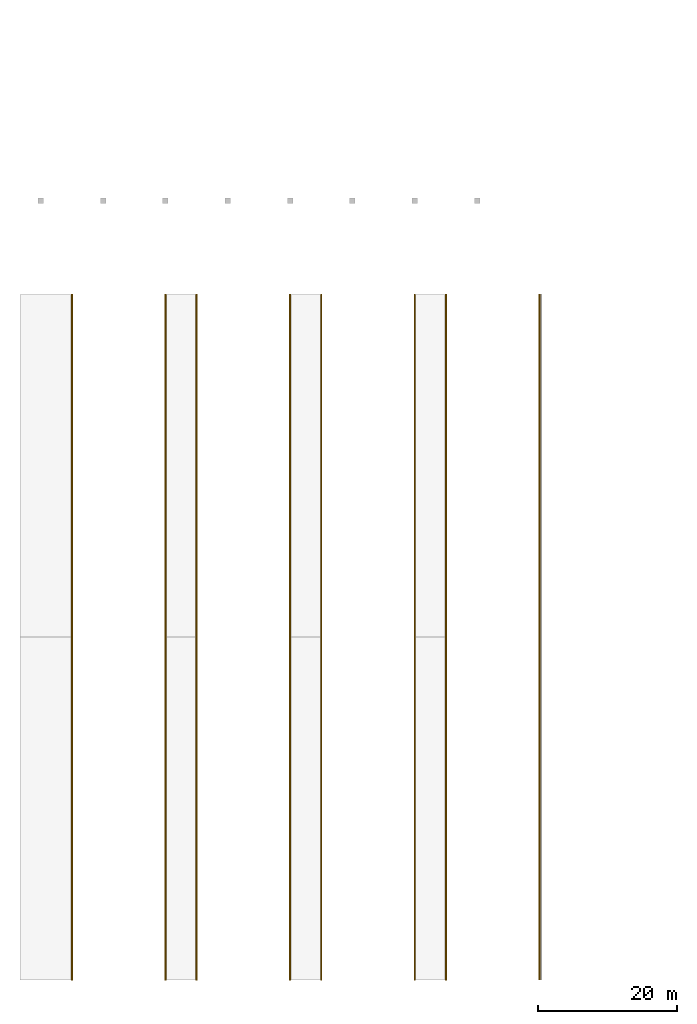
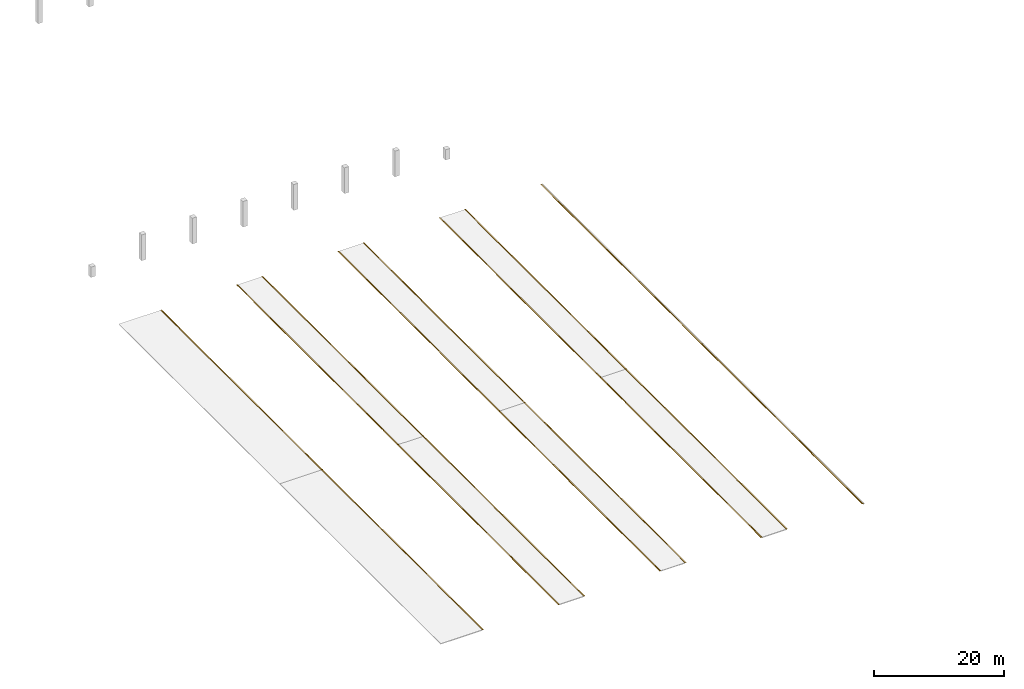
# One storey, part 15 of 15: 16 coverings.
"""IFC4 building model written with IfcOpenShell, lengths in metres."""

from ifc_helpers import new_model, si_unit, direction, frame, origin, origin_2d, place, context, subcontext, project, spatial, rectangle, extrude, material, layer, layer_set, type_object, element, save


model = new_model("IFC4")

# Units and contexts
model_context = context("Model", 3, precision=1e-05, world=origin(), true_north=direction((0.0, 1.0)))
body_context = subcontext(model_context, "Body", "Model", "MODEL_VIEW")
ifc_project = project(units=[si_unit("LENGTHUNIT", "METRE"), si_unit("AREAUNIT", "SQUARE_METRE"), si_unit("VOLUMEUNIT", "CUBIC_METRE"), si_unit("PLANEANGLEUNIT", "RADIAN"), si_unit("MASSUNIT", "GRAM", prefix="KILO")], contexts=[model_context])

# Site, building, storey
site_placement = place(None, origin())
site = spatial("IfcSite", under=ifc_project, at=site_placement, CompositionType="ELEMENT")
building_placement = place(site_placement, origin())
building = spatial("IfcBuilding", under=site, at=building_placement, Name="Opaline Strait Convention Centre", CompositionType="ELEMENT")
storey_placement = place(building_placement, frame((0.0, 0.0, 20.10009765625)))
storey = spatial("IfcBuildingStorey", under=building, at=storey_placement, Name="Roof Restaurants and Business Centre", CompositionType="ELEMENT", Elevation=20.10009765625)

# Coverings
ifc_material = material(Name="Aluminium alloy 6063", Category="aluminium")
ifc_layer = layer(ifc_material, 0.030029296875)
ifc_layer_set = layer_set([ifc_layer], Name="Aluminium alloy 6063")
covering_type = type_object("IfcCoveringType", Name="Ridge cap 200x30 aluminium", PredefinedType="ROOFING", material=ifc_layer_set)
for number, where, z_axis, x_axis, name in (
    (1, (13.5, 29.25, 0.14990234375), (0.0, 0.0, 1.0), (1.0, 0.0, 0.0), "RRC1 ridge cap seam 1"),
    (2, (13.5, 78.75, 0.14990234375), (0.0, 0.0, 1.0), (1.0, 0.0, 0.0), "RRC1 ridge cap seam 1"),
    (3, (27.0, 29.25, 0.14990234375), (0.0, 0.0, 1.0), (1.0, 0.0, 0.0), "RRC1 ridge cap seam 4"),
    (4, (27.0, 78.75, 0.14990234375), (0.0, 0.0, 1.0), (1.0, 0.0, 0.0), "RRC1 ridge cap seam 4"),
    (5, (31.5, 29.25, 0.14990234375), (0.0, 0.0, 1.0), (1.0, 0.0, 0.0), "RRC1 ridge cap seam 5"),
    (6, (31.5, 78.75, 0.14990234375), (0.0, 0.0, 1.0), (1.0, 0.0, 0.0), "RRC1 ridge cap seam 5"),
    (7, (45.0, 29.25, 0.14990234375), (0.0, 0.0, 1.0), (1.0, 0.0, 0.0), "RRC1 ridge cap seam 8"),
    (8, (45.0, 78.75, 0.14990234375), (0.0, 0.0, 1.0), (1.0, 0.0, 0.0), "RRC1 ridge cap seam 8"),
    (9, (49.5, 29.25, 0.14990234375), (0.0, 0.0, 1.0), (1.0, 0.0, 0.0), "RRC1 ridge cap seam 9"),
    (10, (49.5, 78.75, 0.14990234375), (0.0, 0.0, 1.0), (1.0, 0.0, 0.0), "RRC1 ridge cap seam 9"),
    (11, (63.0, 29.25, 0.14990234375), (0.0, 0.0, 1.0), (1.0, 0.0, 0.0), "RRC1 ridge cap seam 12"),
    (12, (63.0, 78.75, 0.14990234375), (0.0, 0.0, 1.0), (1.0, 0.0, 0.0), "RRC1 ridge cap seam 12"),
    (13, (67.5, 29.25, 0.14990234375), (0.0, 0.0, 1.0), (1.0, 0.0, 0.0), "RRC1 ridge cap seam 13"),
    (14, (67.5, 78.75, 0.14990234375), (0.0, 0.0, 1.0), (1.0, 0.0, 0.0), "RRC1 ridge cap seam 13"),
    (15, (81.0, 29.25, 0.14990234375), (0.0, 0.0, 1.0), (1.0, 0.0, 0.0), "RRC1 ridge cap seam 16"),
    (16, (81.0, 78.75, 0.14990234375), (0.0, 0.0, 1.0), (1.0, 0.0, 0.0), "RRC1 ridge cap seam 16"),
):
    element("IfcCovering", number, at=place(storey_placement, frame(where, z_axis=z_axis, x_axis=x_axis)), inside=storey, type_object=covering_type, Name=name, PredefinedType="ROOFING", context=body_context, shape_type="SweptSolid", body=[
        extrude(rectangle(XDim=0.199951171875, YDim=49.5, at=origin_2d()), origin(), (0.0, 0.0, 1.0), 0.030029296875),
    ])

save(model, "model.ifc")
